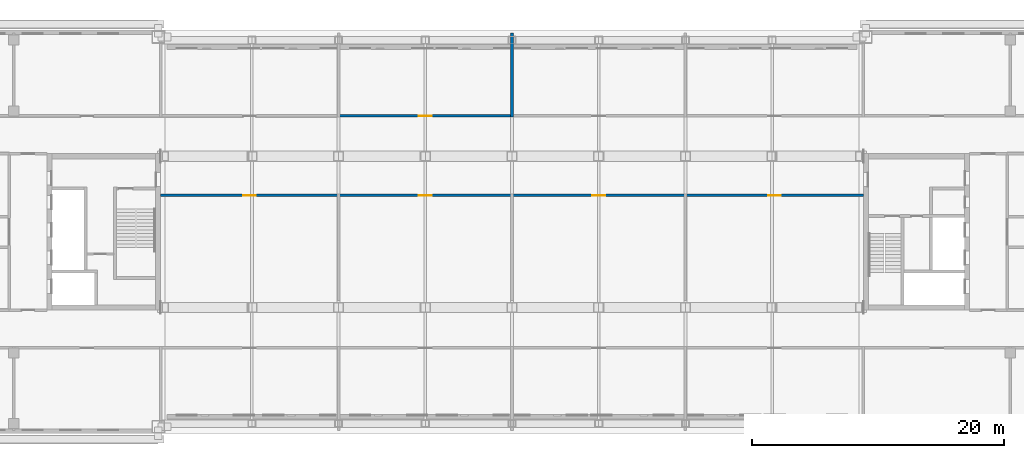
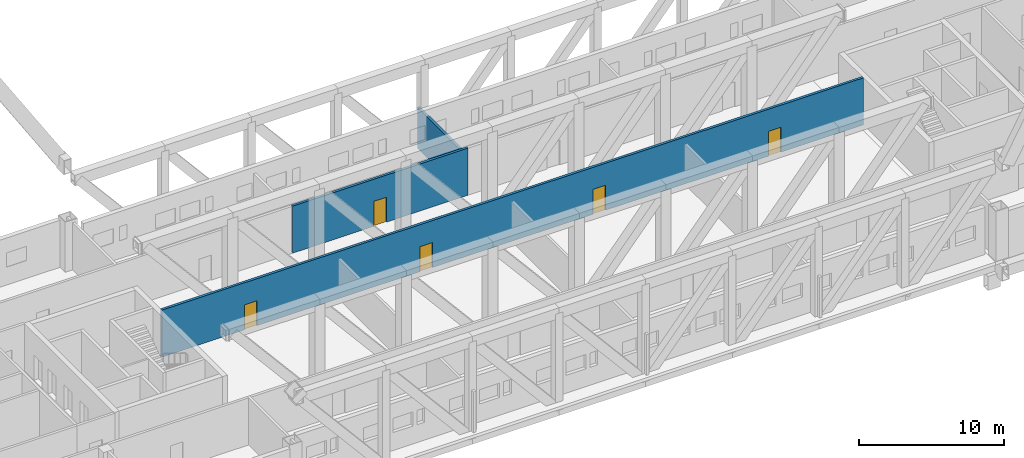
# One storey, part 9 of 17: 5 doors, 3 walls, 5 openings.
"""IFC4 building model written with IfcOpenShell, lengths in metres."""

from ifc_helpers import new_model, si_unit, direction, frame, frame_2d, origin, place, context, subcontext, project, spatial, rectangle, extrude, material, layer, layer_set, type_object, element, fill, save


model = new_model("IFC4")

# Units and contexts
model_context = context("Model", 3, precision=1e-05, world=origin(), true_north=direction((0.0, 1.0)))
body_context = subcontext(model_context, "Body", "Model", "MODEL_VIEW")
ifc_project = project(units=[si_unit("LENGTHUNIT", "METRE"), si_unit("AREAUNIT", "SQUARE_METRE"), si_unit("VOLUMEUNIT", "CUBIC_METRE"), si_unit("PLANEANGLEUNIT", "RADIAN"), si_unit("MASSUNIT", "GRAM", prefix="KILO")], contexts=[model_context])

# Site, building, storey
site_placement = place(None, origin())
site = spatial("IfcSite", under=ifc_project, at=site_placement, CompositionType="ELEMENT")
building_placement = place(site_placement, origin())
building = spatial("IfcBuilding", under=site, at=building_placement, Name="Tuart Gate Housing", CompositionType="ELEMENT")
storey_placement = place(building_placement, frame((0.0, 0.0, 194.39990234375)))
storey = spatial("IfcBuildingStorey", under=building, at=storey_placement, Name="L55", CompositionType="ELEMENT", Elevation=194.39990234375)

# Wall, opening, door
ifc_material_1 = material(Name="Concrete masonry 15 MPa", Category="masonry")
ifc_layer_1 = layer(ifc_material_1, 0.199951171875)
ifc_layer_set_1 = layer_set([ifc_layer_1], Name="Corridor wall masonry 200")
wall_type_1 = type_object("IfcWallType", Name="Corridor wall masonry 200", PredefinedType="PARTITIONING", material=ifc_layer_set_1)
wall_1_placement = place(storey_placement, frame((89.64990234375, 79.199951171875, 0.0), z_axis=(0.0, 0.0, 1.0), x_axis=(1.0, 0.0, 0.0)))
wall_1 = element("IfcWall", 1, at=wall_1_placement, inside=storey, type_object=wall_type_1, Name="Corridor wall masonry 200", PredefinedType="PARTITIONING", context=body_context, shape_type="SweptSolid", body=[
    extrude(rectangle(XDim=13.9501953125, YDim=0.199951171875, at=frame_2d((6.97509765625, 0.0))), origin(), (0.0, 0.0, 1.0), 3.9501953125),
])
opening_1_placement = place(wall_1_placement, frame((6.47509765625, 0.0, 0.0)))
opening_1 = element("IfcOpeningElement", 2, at=opening_1_placement, cuts=wall_1, Name="Opening D3523", PredefinedType="OPENING", context=body_context, shape_type="SweptSolid", body=[
    extrude(rectangle(XDim=1.0, YDim=2.10009765625, at=frame_2d((0.5, 1.050048828125))), frame((0.0, 0.10986328125, 0.0), z_axis=(0.0, -1.0, 0.0), x_axis=(1.0, 0.0, 0.0)), (0.0, 0.0, 1.0), 0.219970703125),
])
ifc_material_2 = material(Name="Timber door leaf in steel frame", Category="steel")
door_type_1 = type_object("IfcDoorType", Name="Fire door 1000", OperationType="SINGLE_SWING_LEFT", PredefinedType="DOOR", material=ifc_material_2)
door_1_placement = place(opening_1_placement, origin())
door_1 = element("IfcDoor", 3, at=door_1_placement, inside=storey, type_object=door_type_1, Name="Fire door 1000", OperationType="SINGLE_SWING_LEFT", OverallHeight=2.10009765625, OverallWidth=1.0, PredefinedType="DOOR", context=body_context, shape_type="SweptSolid", body=[
    extrude(rectangle(XDim=1.0, YDim=2.10009765625, at=frame_2d((0.5, 1.050048828125))), frame((0.0, 0.02490234375, 0.0), z_axis=(0.0, -1.0, 0.0), x_axis=(1.0, 0.0, 0.0)), (0.0, 0.0, 1.0), 0.050048828125),
])
fill(opening_1, door_1)

# Wall, openings, doors
ifc_material_3 = material(Name="Concrete masonry 15 MPa", Category="masonry")
ifc_layer_2 = layer(ifc_material_3, 0.199951171875)
ifc_layer_set_2 = layer_set([ifc_layer_2], Name="Enclosure wall masonry 200")
wall_type_2 = type_object("IfcWallType", Name="Enclosure wall masonry 200", PredefinedType="PARTITIONING", material=ifc_layer_set_2)
wall_2_placement = place(storey_placement, frame((75.639892578125, 72.89990234375, 0.0), z_axis=(0.0, 0.0, 1.0), x_axis=(1.0, 0.0, 0.0)))
wall_2 = element("IfcWall", 4, at=wall_2_placement, inside=storey, type_object=wall_type_2, Name="Enclosure wall masonry 200", PredefinedType="PARTITIONING", context=body_context, shape_type="SweptSolid", body=[
    extrude(rectangle(XDim=55.72021484375, YDim=0.199951171875, at=frame_2d((27.860107421875, 0.0))), origin(), (0.0, 0.0, 1.0), 3.9501953125),
])
opening_2_placement = place(wall_2_placement, frame((6.554931640625, 0.0, 0.0)))
opening_2 = element("IfcOpeningElement", 5, at=opening_2_placement, cuts=wall_2, Name="Opening D3524", PredefinedType="OPENING", context=body_context, shape_type="SweptSolid", body=[
    extrude(rectangle(XDim=1.0, YDim=2.10009765625, at=frame_2d((0.5, 1.050048828125))), frame((0.0, 0.10986328125, 0.0), z_axis=(0.0, -1.0, 0.0), x_axis=(1.0, 0.0, 0.0)), (0.0, 0.0, 1.0), 0.219970703125),
])
opening_3_placement = place(wall_2_placement, frame((20.485107421875, 0.0, 0.0)))
opening_3 = element("IfcOpeningElement", 6, at=opening_3_placement, cuts=wall_2, Name="Opening D3525", PredefinedType="OPENING", context=body_context, shape_type="SweptSolid", body=[
    extrude(rectangle(XDim=1.0, YDim=2.10009765625, at=frame_2d((0.5, 1.050048828125))), frame((0.0, 0.10986328125, 0.0), z_axis=(0.0, -1.0, 0.0), x_axis=(1.0, 0.0, 0.0)), (0.0, 0.0, 1.0), 0.219970703125),
])
opening_4_placement = place(wall_2_placement, frame((34.235107421875, 0.0, 0.0)))
opening_4 = element("IfcOpeningElement", 7, at=opening_4_placement, cuts=wall_2, Name="Opening D3526", PredefinedType="OPENING", context=body_context, shape_type="SweptSolid", body=[
    extrude(rectangle(XDim=1.0, YDim=2.10009765625, at=frame_2d((0.5, 1.050048828125))), frame((0.0, 0.10986328125, 0.0), z_axis=(0.0, -1.0, 0.0), x_axis=(1.0, 0.0, 0.0)), (0.0, 0.0, 1.0), 0.219970703125),
])
opening_5_placement = place(wall_2_placement, frame((48.1650390625, 0.0, 0.0)))
opening_5 = element("IfcOpeningElement", 8, at=opening_5_placement, cuts=wall_2, Name="Opening D3527", PredefinedType="OPENING", context=body_context, shape_type="SweptSolid", body=[
    extrude(rectangle(XDim=1.0, YDim=2.10009765625, at=frame_2d((0.5, 1.050048828125))), frame((0.0, 0.10986328125, 0.0), z_axis=(0.0, -1.0, 0.0), x_axis=(1.0, 0.0, 0.0)), (0.0, 0.0, 1.0), 0.219970703125),
])
ifc_material_4 = material(Name="Timber door leaf in steel frame", Category="steel")
door_type_2 = type_object("IfcDoorType", Name="Fire door 1000 RH", OperationType="SINGLE_SWING_RIGHT", PredefinedType="DOOR", material=ifc_material_4)
door_2_placement = place(opening_2_placement, frame((1.0, 0.0, 0.0), z_axis=(0.0, 0.0, 1.0), x_axis=(-1.0, 0.0, 0.0)))
door_2 = element("IfcDoor", 9, at=door_2_placement, inside=storey, type_object=door_type_2, Name="Fire door 1000", OperationType="SINGLE_SWING_RIGHT", OverallHeight=2.10009765625, OverallWidth=1.0, PredefinedType="DOOR", context=body_context, shape_type="SweptSolid", body=[
    extrude(rectangle(XDim=1.0, YDim=2.10009765625, at=frame_2d((0.5, 1.050048828125))), frame((0.0, 0.025146484375, 0.0), z_axis=(0.0, -1.0, 0.0), x_axis=(1.0, 0.0, 0.0)), (0.0, 0.0, 1.0), 0.050048828125),
])
fill(opening_2, door_2)
door_3_placement = place(opening_3_placement, frame((1.0, 0.0, 0.0), z_axis=(0.0, 0.0, 1.0), x_axis=(-1.0, 0.0, 0.0)))
door_3 = element("IfcDoor", 10, at=door_3_placement, inside=storey, type_object=door_type_2, Name="Fire door 1000", OperationType="SINGLE_SWING_RIGHT", OverallHeight=2.10009765625, OverallWidth=1.0, PredefinedType="DOOR", context=body_context, shape_type="SweptSolid", body=[
    extrude(rectangle(XDim=1.0, YDim=2.10009765625, at=frame_2d((0.5, 1.050048828125))), frame((0.0, 0.025146484375, 0.0), z_axis=(0.0, -1.0, 0.0), x_axis=(1.0, 0.0, 0.0)), (0.0, 0.0, 1.0), 0.050048828125),
])
fill(opening_3, door_3)
door_4_placement = place(opening_4_placement, frame((1.0, 0.0, 0.0), z_axis=(0.0, 0.0, 1.0), x_axis=(-1.0, 0.0, 0.0)))
door_4 = element("IfcDoor", 11, at=door_4_placement, inside=storey, type_object=door_type_2, Name="Fire door 1000", OperationType="SINGLE_SWING_RIGHT", OverallHeight=2.10009765625, OverallWidth=1.0, PredefinedType="DOOR", context=body_context, shape_type="SweptSolid", body=[
    extrude(rectangle(XDim=1.0, YDim=2.10009765625, at=frame_2d((0.5, 1.050048828125))), frame((0.0, 0.025146484375, 0.0), z_axis=(0.0, -1.0, 0.0), x_axis=(1.0, 0.0, 0.0)), (0.0, 0.0, 1.0), 0.050048828125),
])
fill(opening_4, door_4)
door_5_placement = place(opening_5_placement, frame((1.0, 0.0, 0.0), z_axis=(0.0, 0.0, 1.0), x_axis=(-1.0, 0.0, 0.0)))
door_5 = element("IfcDoor", 12, at=door_5_placement, inside=storey, type_object=door_type_2, Name="Fire door 1000", OperationType="SINGLE_SWING_RIGHT", OverallHeight=2.10009765625, OverallWidth=1.0, PredefinedType="DOOR", context=body_context, shape_type="SweptSolid", body=[
    extrude(rectangle(XDim=1.0, YDim=2.10009765625, at=frame_2d((0.5, 1.050048828125))), frame((0.0, 0.025146484375, 0.0), z_axis=(0.0, -1.0, 0.0), x_axis=(1.0, 0.0, 0.0)), (0.0, 0.0, 1.0), 0.050048828125),
])
fill(opening_5, door_5)

# Wall
wall_3_placement = place(storey_placement, frame((103.5, 79.10009765625, 0.0), z_axis=(0.0, 0.0, 1.0), x_axis=(0.0, 1.0, 0.0)))
element("IfcWall", 13, at=wall_3_placement, inside=storey, type_object=wall_type_2, Name="Enclosure wall masonry 200", PredefinedType="PARTITIONING", context=body_context, shape_type="SweptSolid", body=[
    extrude(rectangle(XDim=6.659912109375, YDim=0.199951171875, at=frame_2d((3.330078125, 0.0))), origin(), (0.0, 0.0, 1.0), 3.4169921875),
])

save(model, "model.ifc")
